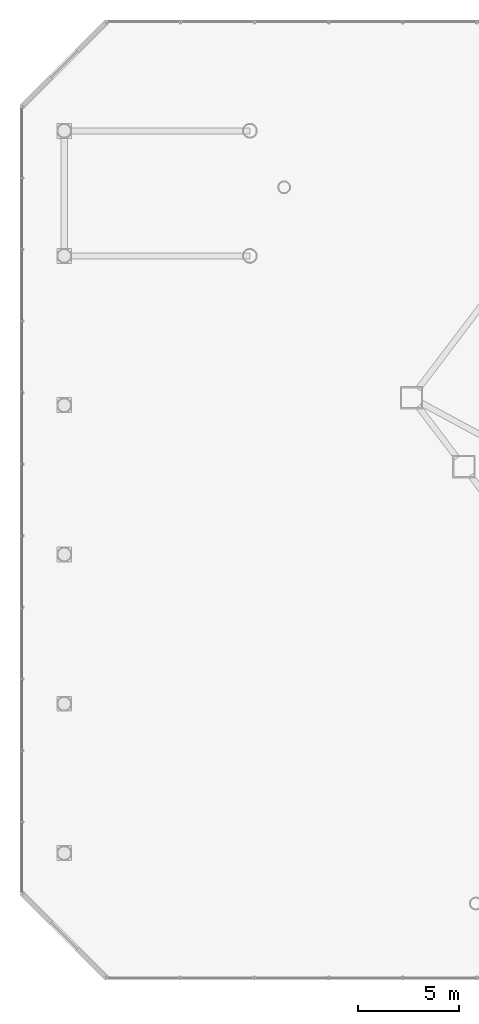
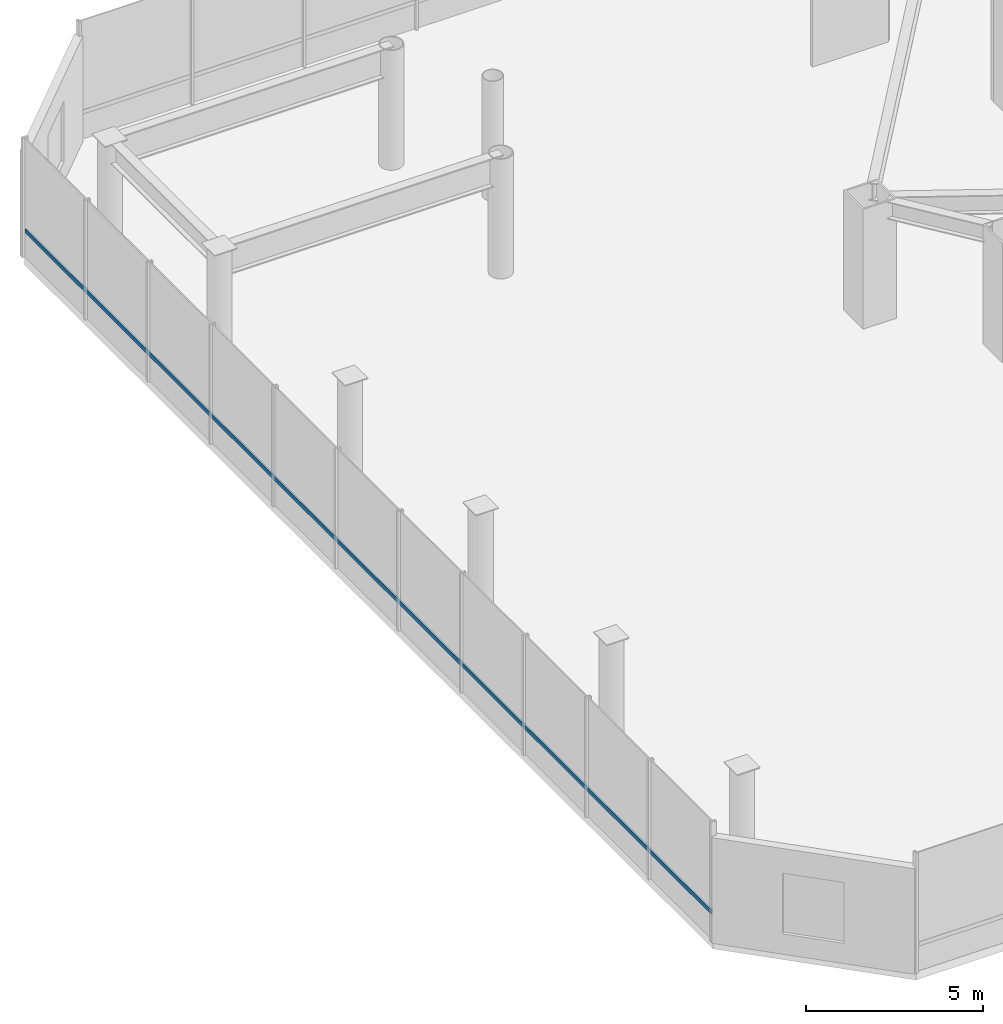
# One storey, part 9 of 43: 1 member, 1 element without a shape of its own.
"""IFC4 building model written with IfcOpenShell, lengths in metres."""

from ifc_helpers import new_model, si_unit, direction, frame, origin, origin_2d, place, context, subcontext, project, spatial, hollow_rectangle, extrude, material, layer, layer_set, material_profile, profile_set, type_object, element, aggregate, save


model = new_model("IFC4")

# Units and contexts
model_context = context("Model", 3, precision=1e-05, world=origin(), true_north=direction((0.0, 1.0)))
body_context = subcontext(model_context, "Body", "Model", "MODEL_VIEW")
ifc_project = project(units=[si_unit("LENGTHUNIT", "METRE"), si_unit("AREAUNIT", "SQUARE_METRE"), si_unit("VOLUMEUNIT", "CUBIC_METRE"), si_unit("PLANEANGLEUNIT", "RADIAN"), si_unit("MASSUNIT", "GRAM", prefix="KILO")], contexts=[model_context])

# Site, building, storey
site_placement = place(None, origin())
site = spatial("IfcSite", under=ifc_project, at=site_placement, CompositionType="ELEMENT")
building_placement = place(site_placement, origin())
building = spatial("IfcBuilding", under=site, at=building_placement, Name="Zarrinselat Tower", CompositionType="ELEMENT")
storey_placement = place(building_placement, frame((0.0, 0.0, 5.10009765625)))
storey = spatial("IfcBuildingStorey", under=building, at=storey_placement, Name="L01", CompositionType="ELEMENT", Elevation=5.10009765625)

# Curtain wall, member
ifc_material_1 = material(Name="Extruded Aluminium Alloy EN AW-6063 T6", Category="aluminium")
ifc_layer = layer(ifc_material_1, 0.2099609375)
ifc_layer_set = layer_set([ifc_layer], Name="Extruded Aluminium Alloy EN AW-6063 T6")
curtain_wall_type = type_object("IfcCurtainWallType", Name="CWS-POD", PredefinedType="NOTDEFINED", material=ifc_layer_set)
curtain_wall_placement = place(storey_placement, origin())
curtain_wall = element("IfcCurtainWall", 1, at=curtain_wall_placement, inside=storey, type_object=curtain_wall_type, Name="L01 Unitised Curtain Wall CW-L01-F7", PredefinedType="NOTDEFINED")
ifc_material_2 = material(Name="Extruded Aluminium Alloy EN AW-6063 T6", Category="aluminium")
ifc_material_profile = material_profile(ifc_material_2, hollow_rectangle(XDim=0.06005859375, YDim=0.139892578125, WallThickness=0.00390625, at=origin_2d()), Name="RHS 140x60x4")
ifc_profile_set = profile_set([ifc_material_profile], Name="Extruded Aluminium Alloy EN AW-6063 T6")
member_type = type_object("IfcMemberType", Name="MEM-CW-TRN", PredefinedType="USERDEFINED", material=ifc_profile_set)
member_placement = place(storey_placement, frame((-2.5, 47.909912109375, 0.949951171875), z_axis=(0.0, -1.0, 0.0), x_axis=(1.0, 0.0, 0.0)))
member = element("IfcMember", 2, at=member_placement, type_object=member_type, Name="CW-L01-F7 Transom 1", ObjectType="TRANSOM", PredefinedType="USERDEFINED", context=body_context, shape_type="SweptSolid", body=[
    extrude(hollow_rectangle(XDim=0.06005859375, YDim=0.139892578125, WallThickness=0.00390625, at=origin_2d()), origin(), (0.0, 0.0, 1.0), 38.81982421875),
])
aggregate(curtain_wall, [member])

save(model, "model.ifc")
